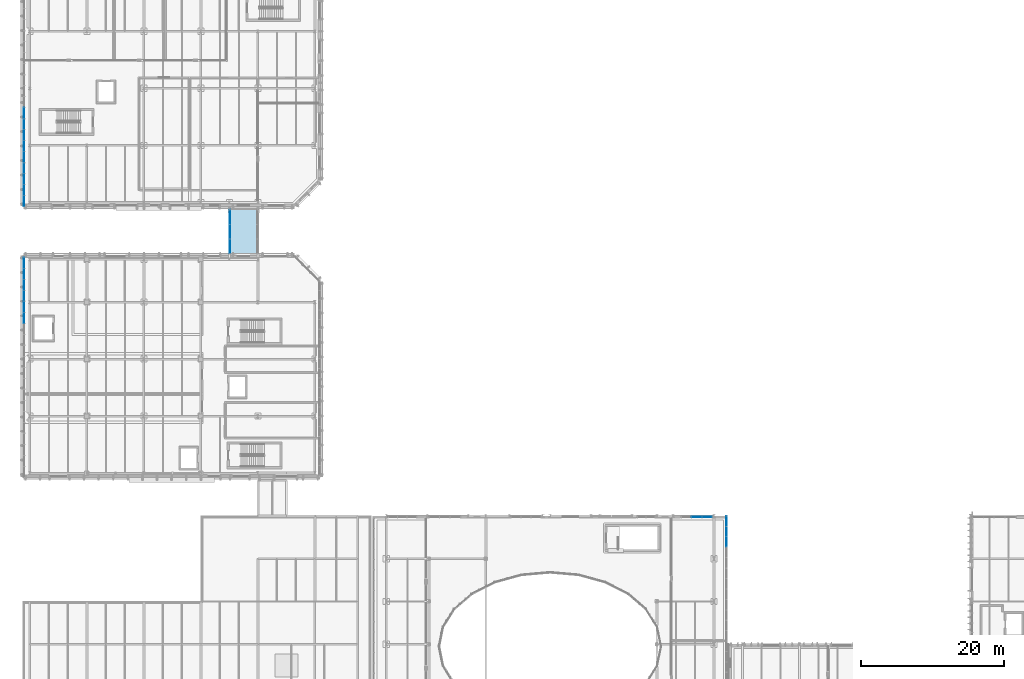
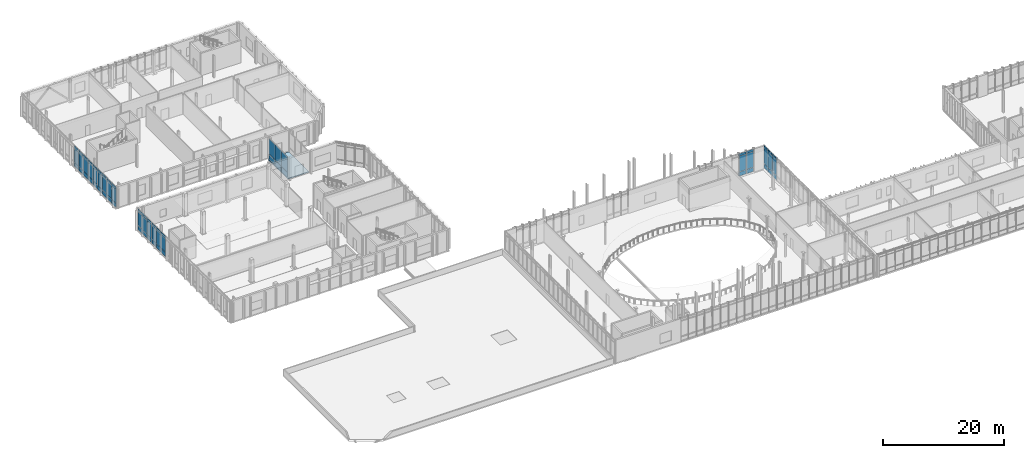
# One storey, part 50 of 86: 66 plates, 1 slab, 8 elements without a shape of their own.
"""IFC4 building model written with IfcOpenShell, lengths in metres."""

from ifc_helpers import new_model, si_unit, direction, frame, origin, origin_2d, place, context, subcontext, project, spatial, polyline, rectangle, outline, extrude, material, layer, layer_set, type_object, element, aggregate, save


model = new_model("IFC4")

# Units and contexts
model_context = context("Model", 3, precision=1e-05, world=origin(), true_north=direction((0.0, 1.0)))
body_context = subcontext(model_context, "Body", "Model", "MODEL_VIEW")
ifc_project = project(units=[si_unit("LENGTHUNIT", "METRE"), si_unit("AREAUNIT", "SQUARE_METRE"), si_unit("VOLUMEUNIT", "CUBIC_METRE"), si_unit("PLANEANGLEUNIT", "RADIAN"), si_unit("MASSUNIT", "GRAM", prefix="KILO")], contexts=[model_context])

# Site, building, storey
site_placement = place(None, origin())
site = spatial("IfcSite", under=ifc_project, at=site_placement, CompositionType="ELEMENT")
building_placement = place(site_placement, origin())
building = spatial("IfcBuilding", under=site, at=building_placement, Name="Cymarion Research Institute", CompositionType="ELEMENT")
storey_placement = place(building_placement, frame((0.0, 0.0, 13.800048828125)))
storey = spatial("IfcBuildingStorey", under=building, at=storey_placement, Name="L03", CompositionType="ELEMENT", Elevation=13.800048828125)

# Slab
ifc_material_1 = material(Name="Concrete C35/45", Category="concrete")
ifc_layer_1 = layer(ifc_material_1, 0.159912109375)
ifc_layer_set_1 = layer_set([ifc_layer_1], Name="Concrete C35/45")
slab_type = type_object("IfcSlabType", Name="COMPOSITE FLOOR SLAB SL-BR160 160MM", PredefinedType="FLOOR", material=ifc_layer_set_1)
slab_placement = place(storey_placement, frame((0.0, 0.0, -0.16015625)))
element("IfcSlab", 1, at=slab_placement, inside=storey, type_object=slab_type, Name="L03 SP2 sky-passage composite deck", PredefinedType="FLOOR", context=body_context, shape_type="SweptSolid", body=[
    extrude(outline(polyline([(34.60009765625, 78.10009765625), (38.60009765625, 78.10009765625), (38.60009765625, 84.699951171875), (34.60009765625, 84.699951171875), (34.60009765625, 78.10009765625)])), origin(), (0.0, 0.0, 1.0), 0.16015625),
])

# Curtain wall, plates
ifc_material_2 = material(Name="Anodised aluminium unitised curtain wall with Low-E glazing", Category="aluminium")
curtain_wall_type_1 = type_object("IfcCurtainWallType", Name="UNITISED CURTAIN WALL CW28 7320X4620", PredefinedType="NOTDEFINED", material=ifc_material_2)
curtain_wall_1_placement = place(storey_placement, origin())
curtain_wall_1 = element("IfcCurtainWall", 2, at=curtain_wall_1_placement, inside=storey, type_object=curtain_wall_type_1, Name="L03 V2 unitised curtain wall CW28 #141", PredefinedType="NOTDEFINED")
ifc_material_3 = material(Name="Insulated anodised aluminium spandrel panel", Category="aluminium")
ifc_layer_2 = layer(ifc_material_3, 0.06005859375)
ifc_layer_set_2 = layer_set([ifc_layer_2], Name="Insulated anodised aluminium spandrel panel")
plate_type_1 = type_object("IfcPlateType", Name="INSULATED ALUMINIUM SPANDREL PANEL SP01 60MM", PredefinedType="SHEET", material=ifc_layer_set_2)
plate_1_placement = place(storey_placement, frame((104.340087890625, 37.840087890625, 0.059814453125), z_axis=(0.0, 0.0, 1.0), x_axis=(0.0, 1.0, 0.0)))
plate_1 = element("IfcPlate", 3, at=plate_1_placement, type_object=plate_type_1, Name="CW28 panel 3.1", PredefinedType="SHEET", context=body_context, shape_type="SweptSolid", body=[
    extrude(rectangle(XDim=1.404052734375, YDim=0.06005859375, at=origin_2d()), origin(), (0.0, 0.0, 1.0), 0.81005859375),
])
plate_2_placement = place(storey_placement, frame((104.340087890625, 37.840087890625, 4.099853515625), z_axis=(0.0, 0.0, 1.0), x_axis=(0.0, 1.0, 0.0)))
plate_2 = element("IfcPlate", 4, at=plate_2_placement, type_object=plate_type_1, Name="CW28 panel 3.3", PredefinedType="SHEET", context=body_context, shape_type="SweptSolid", body=[
    extrude(rectangle(XDim=1.404052734375, YDim=0.06005859375, at=origin_2d()), origin(), (0.0, 0.0, 1.0), 0.4599609375),
])
plate_3_placement = place(storey_placement, frame((104.340087890625, 39.303955078125, 0.059814453125), z_axis=(0.0, 0.0, 1.0), x_axis=(0.0, 1.0, 0.0)))
plate_3 = element("IfcPlate", 5, at=plate_3_placement, type_object=plate_type_1, Name="CW28 panel 4.1", PredefinedType="SHEET", context=body_context, shape_type="SweptSolid", body=[
    extrude(rectangle(XDim=1.404052734375, YDim=0.06005859375, at=origin_2d()), origin(), (0.0, 0.0, 1.0), 0.81005859375),
])
plate_4_placement = place(storey_placement, frame((104.340087890625, 39.303955078125, 4.099853515625), z_axis=(0.0, 0.0, 1.0), x_axis=(0.0, 1.0, 0.0)))
plate_4 = element("IfcPlate", 6, at=plate_4_placement, type_object=plate_type_1, Name="CW28 panel 4.3", PredefinedType="SHEET", context=body_context, shape_type="SweptSolid", body=[
    extrude(rectangle(XDim=1.404052734375, YDim=0.06005859375, at=origin_2d()), origin(), (0.0, 0.0, 1.0), 0.4599609375),
])
plate_5_placement = place(storey_placement, frame((104.340087890625, 40.7529296875, 0.059814453125), z_axis=(0.0, 0.0, 1.0), x_axis=(0.0, 1.0, 0.0)))
plate_5 = element("IfcPlate", 7, at=plate_5_placement, type_object=plate_type_1, Name="CW28 panel 5.1", PredefinedType="SHEET", context=body_context, shape_type="SweptSolid", body=[
    extrude(rectangle(XDim=1.3740234375, YDim=0.06005859375, at=origin_2d()), origin(), (0.0, 0.0, 1.0), 0.81005859375),
])
plate_6_placement = place(storey_placement, frame((104.340087890625, 40.7529296875, 4.099853515625), z_axis=(0.0, 0.0, 1.0), x_axis=(0.0, 1.0, 0.0)))
plate_6 = element("IfcPlate", 8, at=plate_6_placement, type_object=plate_type_1, Name="CW28 panel 5.3", PredefinedType="SHEET", context=body_context, shape_type="SweptSolid", body=[
    extrude(rectangle(XDim=1.3740234375, YDim=0.06005859375, at=origin_2d()), origin(), (0.0, 0.0, 1.0), 0.4599609375),
])

curtain_wall_type_2 = type_object("IfcCurtainWallType", Name="UNITISED CURTAIN WALL CW29 4330X4620", PredefinedType="NOTDEFINED", material=ifc_material_2)
curtain_wall_2_placement = place(storey_placement, origin())
curtain_wall_2 = element("IfcCurtainWall", 9, at=curtain_wall_2_placement, inside=storey, type_object=curtain_wall_type_2, Name="L03 V2 unitised curtain wall CW29 #142", PredefinedType="NOTDEFINED")
plate_7_placement = place(storey_placement, frame((101.603515625, 41.340087890625, 0.059814453125), z_axis=(0.0, 0.0, 1.0), x_axis=(-1.0, 0.0, 0.0)))
plate_7 = element("IfcPlate", 10, at=plate_7_placement, type_object=plate_type_1, Name="CW29 panel 1.1", PredefinedType="SHEET", context=body_context, shape_type="SweptSolid", body=[
    extrude(rectangle(XDim=1.35302734375, YDim=0.06005859375, at=origin_2d()), origin(), (0.0, 0.0, 1.0), 0.81005859375),
])
plate_8_placement = place(storey_placement, frame((101.603515625, 41.340087890625, 4.099853515625), z_axis=(0.0, 0.0, 1.0), x_axis=(-1.0, 0.0, 0.0)))
plate_8 = element("IfcPlate", 11, at=plate_8_placement, type_object=plate_type_1, Name="CW29 panel 1.3", PredefinedType="SHEET", context=body_context, shape_type="SweptSolid", body=[
    extrude(rectangle(XDim=1.35302734375, YDim=0.06005859375, at=origin_2d()), origin(), (0.0, 0.0, 1.0), 0.4599609375),
])
plate_9_placement = place(storey_placement, frame((100.17529296875, 41.340087890625, 0.059814453125), z_axis=(0.0, 0.0, 1.0), x_axis=(-1.0, 0.0, 0.0)))
plate_9 = element("IfcPlate", 12, at=plate_9_placement, type_object=plate_type_1, Name="CW29 panel 2.1", PredefinedType="SHEET", context=body_context, shape_type="SweptSolid", body=[
    extrude(rectangle(XDim=1.383056640625, YDim=0.06005859375, at=origin_2d()), origin(), (0.0, 0.0, 1.0), 0.81005859375),
])
plate_10_placement = place(storey_placement, frame((100.17529296875, 41.340087890625, 4.099853515625), z_axis=(0.0, 0.0, 1.0), x_axis=(-1.0, 0.0, 0.0)))
plate_10 = element("IfcPlate", 13, at=plate_10_placement, type_object=plate_type_1, Name="CW29 panel 2.3", PredefinedType="SHEET", context=body_context, shape_type="SweptSolid", body=[
    extrude(rectangle(XDim=1.383056640625, YDim=0.06005859375, at=origin_2d()), origin(), (0.0, 0.0, 1.0), 0.4599609375),
])

curtain_wall_type_3 = type_object("IfcCurtainWallType", Name="UNITISED CURTAIN WALL CW22 6180X4250", PredefinedType="NOTDEFINED", material=ifc_material_2)
curtain_wall_3_placement = place(storey_placement, origin())
curtain_wall_3 = element("IfcCurtainWall", 14, at=curtain_wall_3_placement, inside=storey, type_object=curtain_wall_type_3, Name="L03 V4 unitised curtain wall CW22 #157", PredefinedType="NOTDEFINED")
plate_11_placement = place(storey_placement, frame((5.77001953125, 76.990966796875, 0.059814453125), z_axis=(0.0, 0.0, 1.0), x_axis=(0.0, -1.0, 0.0)))
plate_11 = element("IfcPlate", 15, at=plate_11_placement, type_object=plate_type_1, Name="CW22 panel 1.1", PredefinedType="SHEET", context=body_context, shape_type="SweptSolid", body=[
    extrude(rectangle(XDim=1.453857421875, YDim=0.06005859375, at=origin_2d()), origin(), (0.0, 0.0, 1.0), 0.81005859375),
])
plate_12_placement = place(storey_placement, frame((5.77001953125, 76.990966796875, 3.72998046875), z_axis=(0.0, 0.0, 1.0), x_axis=(0.0, -1.0, 0.0)))
plate_12 = element("IfcPlate", 16, at=plate_12_placement, type_object=plate_type_1, Name="CW22 panel 1.3", PredefinedType="SHEET", context=body_context, shape_type="SweptSolid", body=[
    extrude(rectangle(XDim=1.453857421875, YDim=0.06005859375, at=origin_2d()), origin(), (0.0, 0.0, 1.0), 0.4599609375),
])
plate_13_placement = place(storey_placement, frame((5.77001953125, 75.462158203125, 0.059814453125), z_axis=(0.0, 0.0, 1.0), x_axis=(0.0, -1.0, 0.0)))
plate_13 = element("IfcPlate", 17, at=plate_13_placement, type_object=plate_type_1, Name="CW22 panel 2.1", PredefinedType="SHEET", context=body_context, shape_type="SweptSolid", body=[
    extrude(rectangle(XDim=1.48388671875, YDim=0.06005859375, at=origin_2d()), origin(), (0.0, 0.0, 1.0), 0.81005859375),
])
plate_14_placement = place(storey_placement, frame((5.77001953125, 75.462158203125, 3.72998046875), z_axis=(0.0, 0.0, 1.0), x_axis=(0.0, -1.0, 0.0)))
plate_14 = element("IfcPlate", 18, at=plate_14_placement, type_object=plate_type_1, Name="CW22 panel 2.3", PredefinedType="SHEET", context=body_context, shape_type="SweptSolid", body=[
    extrude(rectangle(XDim=1.48388671875, YDim=0.06005859375, at=origin_2d()), origin(), (0.0, 0.0, 1.0), 0.4599609375),
])
plate_15_placement = place(storey_placement, frame((5.77001953125, 73.918212890625, 0.059814453125), z_axis=(0.0, 0.0, 1.0), x_axis=(0.0, -1.0, 0.0)))
plate_15 = element("IfcPlate", 19, at=plate_15_placement, type_object=plate_type_1, Name="CW22 panel 3.1", PredefinedType="SHEET", context=body_context, shape_type="SweptSolid", body=[
    extrude(rectangle(XDim=1.48388671875, YDim=0.06005859375, at=origin_2d()), origin(), (0.0, 0.0, 1.0), 0.81005859375),
])
plate_16_placement = place(storey_placement, frame((5.77001953125, 73.918212890625, 3.72998046875), z_axis=(0.0, 0.0, 1.0), x_axis=(0.0, -1.0, 0.0)))
plate_16 = element("IfcPlate", 20, at=plate_16_placement, type_object=plate_type_1, Name="CW22 panel 3.3", PredefinedType="SHEET", context=body_context, shape_type="SweptSolid", body=[
    extrude(rectangle(XDim=1.48388671875, YDim=0.06005859375, at=origin_2d()), origin(), (0.0, 0.0, 1.0), 0.4599609375),
])
plate_17_placement = place(storey_placement, frame((5.77001953125, 72.389404296875, 0.059814453125), z_axis=(0.0, 0.0, 1.0), x_axis=(0.0, -1.0, 0.0)))
plate_17 = element("IfcPlate", 21, at=plate_17_placement, type_object=plate_type_1, Name="CW22 panel 4.1", PredefinedType="SHEET", context=body_context, shape_type="SweptSolid", body=[
    extrude(rectangle(XDim=1.453857421875, YDim=0.06005859375, at=origin_2d()), origin(), (0.0, 0.0, 1.0), 0.81005859375),
])
plate_18_placement = place(storey_placement, frame((5.77001953125, 72.389404296875, 3.72998046875), z_axis=(0.0, 0.0, 1.0), x_axis=(0.0, -1.0, 0.0)))
plate_18 = element("IfcPlate", 22, at=plate_18_placement, type_object=plate_type_1, Name="CW22 panel 4.3", PredefinedType="SHEET", context=body_context, shape_type="SweptSolid", body=[
    extrude(rectangle(XDim=1.453857421875, YDim=0.06005859375, at=origin_2d()), origin(), (0.0, 0.0, 1.0), 0.4599609375),
])

curtain_wall_4_placement = place(storey_placement, origin())
curtain_wall_4 = element("IfcCurtainWall", 23, at=curtain_wall_4_placement, inside=storey, type_object=curtain_wall_type_3, Name="L03 V4 unitised curtain wall CW22 #158", PredefinedType="NOTDEFINED")
plate_19_placement = place(storey_placement, frame((5.77001953125, 70.8154296875, 0.059814453125), z_axis=(0.0, 0.0, 1.0), x_axis=(0.0, -1.0, 0.0)))
plate_19 = element("IfcPlate", 24, at=plate_19_placement, type_object=plate_type_1, Name="CW22 panel 1.1", PredefinedType="SHEET", context=body_context, shape_type="SweptSolid", body=[
    extrude(rectangle(XDim=1.453857421875, YDim=0.06005859375, at=origin_2d()), origin(), (0.0, 0.0, 1.0), 0.81005859375),
])
plate_20_placement = place(storey_placement, frame((5.77001953125, 70.8154296875, 3.72998046875), z_axis=(0.0, 0.0, 1.0), x_axis=(0.0, -1.0, 0.0)))
plate_20 = element("IfcPlate", 25, at=plate_20_placement, type_object=plate_type_1, Name="CW22 panel 1.3", PredefinedType="SHEET", context=body_context, shape_type="SweptSolid", body=[
    extrude(rectangle(XDim=1.453857421875, YDim=0.06005859375, at=origin_2d()), origin(), (0.0, 0.0, 1.0), 0.4599609375),
])
plate_21_placement = place(storey_placement, frame((5.77001953125, 69.28662109375, 0.059814453125), z_axis=(0.0, 0.0, 1.0), x_axis=(0.0, -1.0, 0.0)))
plate_21 = element("IfcPlate", 26, at=plate_21_placement, type_object=plate_type_1, Name="CW22 panel 2.1", PredefinedType="SHEET", context=body_context, shape_type="SweptSolid", body=[
    extrude(rectangle(XDim=1.48388671875, YDim=0.06005859375, at=origin_2d()), origin(), (0.0, 0.0, 1.0), 0.81005859375),
])
plate_22_placement = place(storey_placement, frame((5.77001953125, 69.28662109375, 3.72998046875), z_axis=(0.0, 0.0, 1.0), x_axis=(0.0, -1.0, 0.0)))
plate_22 = element("IfcPlate", 27, at=plate_22_placement, type_object=plate_type_1, Name="CW22 panel 2.3", PredefinedType="SHEET", context=body_context, shape_type="SweptSolid", body=[
    extrude(rectangle(XDim=1.48388671875, YDim=0.06005859375, at=origin_2d()), origin(), (0.0, 0.0, 1.0), 0.4599609375),
])

curtain_wall_5_placement = place(storey_placement, origin())
curtain_wall_5 = element("IfcCurtainWall", 28, at=curtain_wall_5_placement, inside=storey, type_object=curtain_wall_type_3, Name="L03 V5 unitised curtain wall CW22 #166", PredefinedType="NOTDEFINED")
plate_23_placement = place(storey_placement, frame((5.77001953125, 98.0380859375, 0.059814453125), z_axis=(0.0, 0.0, 1.0), x_axis=(0.0, -1.0, 0.0)))
plate_23 = element("IfcPlate", 29, at=plate_23_placement, type_object=plate_type_1, Name="CW22 panel 4.1", PredefinedType="SHEET", context=body_context, shape_type="SweptSolid", body=[
    extrude(rectangle(XDim=1.453857421875, YDim=0.06005859375, at=origin_2d()), origin(), (0.0, 0.0, 1.0), 0.81005859375),
])
plate_24_placement = place(storey_placement, frame((5.77001953125, 98.0380859375, 3.72998046875), z_axis=(0.0, 0.0, 1.0), x_axis=(0.0, -1.0, 0.0)))
plate_24 = element("IfcPlate", 30, at=plate_24_placement, type_object=plate_type_1, Name="CW22 panel 4.3", PredefinedType="SHEET", context=body_context, shape_type="SweptSolid", body=[
    extrude(rectangle(XDim=1.453857421875, YDim=0.06005859375, at=origin_2d()), origin(), (0.0, 0.0, 1.0), 0.4599609375),
])

curtain_wall_6_placement = place(storey_placement, origin())
curtain_wall_6 = element("IfcCurtainWall", 31, at=curtain_wall_6_placement, inside=storey, type_object=curtain_wall_type_3, Name="L03 V5 unitised curtain wall CW22 #167", PredefinedType="NOTDEFINED")
plate_25_placement = place(storey_placement, frame((5.77001953125, 96.46435546875, 0.059814453125), z_axis=(0.0, 0.0, 1.0), x_axis=(0.0, -1.0, 0.0)))
plate_25 = element("IfcPlate", 32, at=plate_25_placement, type_object=plate_type_1, Name="CW22 panel 1.1", PredefinedType="SHEET", context=body_context, shape_type="SweptSolid", body=[
    extrude(rectangle(XDim=1.453857421875, YDim=0.06005859375, at=origin_2d()), origin(), (0.0, 0.0, 1.0), 0.81005859375),
])
plate_26_placement = place(storey_placement, frame((5.77001953125, 96.46435546875, 3.72998046875), z_axis=(0.0, 0.0, 1.0), x_axis=(0.0, -1.0, 0.0)))
plate_26 = element("IfcPlate", 33, at=plate_26_placement, type_object=plate_type_1, Name="CW22 panel 1.3", PredefinedType="SHEET", context=body_context, shape_type="SweptSolid", body=[
    extrude(rectangle(XDim=1.453857421875, YDim=0.06005859375, at=origin_2d()), origin(), (0.0, 0.0, 1.0), 0.4599609375),
])
plate_27_placement = place(storey_placement, frame((5.77001953125, 94.935302734375, 0.059814453125), z_axis=(0.0, 0.0, 1.0), x_axis=(0.0, -1.0, 0.0)))
plate_27 = element("IfcPlate", 34, at=plate_27_placement, type_object=plate_type_1, Name="CW22 panel 2.1", PredefinedType="SHEET", context=body_context, shape_type="SweptSolid", body=[
    extrude(rectangle(XDim=1.48388671875, YDim=0.06005859375, at=origin_2d()), origin(), (0.0, 0.0, 1.0), 0.81005859375),
])
plate_28_placement = place(storey_placement, frame((5.77001953125, 94.935302734375, 3.72998046875), z_axis=(0.0, 0.0, 1.0), x_axis=(0.0, -1.0, 0.0)))
plate_28 = element("IfcPlate", 35, at=plate_28_placement, type_object=plate_type_1, Name="CW22 panel 2.3", PredefinedType="SHEET", context=body_context, shape_type="SweptSolid", body=[
    extrude(rectangle(XDim=1.48388671875, YDim=0.06005859375, at=origin_2d()), origin(), (0.0, 0.0, 1.0), 0.4599609375),
])
plate_29_placement = place(storey_placement, frame((5.77001953125, 93.391357421875, 0.059814453125), z_axis=(0.0, 0.0, 1.0), x_axis=(0.0, -1.0, 0.0)))
plate_29 = element("IfcPlate", 36, at=plate_29_placement, type_object=plate_type_1, Name="CW22 panel 3.1", PredefinedType="SHEET", context=body_context, shape_type="SweptSolid", body=[
    extrude(rectangle(XDim=1.48388671875, YDim=0.06005859375, at=origin_2d()), origin(), (0.0, 0.0, 1.0), 0.81005859375),
])
plate_30_placement = place(storey_placement, frame((5.77001953125, 93.391357421875, 3.72998046875), z_axis=(0.0, 0.0, 1.0), x_axis=(0.0, -1.0, 0.0)))
plate_30 = element("IfcPlate", 37, at=plate_30_placement, type_object=plate_type_1, Name="CW22 panel 3.3", PredefinedType="SHEET", context=body_context, shape_type="SweptSolid", body=[
    extrude(rectangle(XDim=1.48388671875, YDim=0.06005859375, at=origin_2d()), origin(), (0.0, 0.0, 1.0), 0.4599609375),
])
plate_31_placement = place(storey_placement, frame((5.77001953125, 91.862548828125, 0.059814453125), z_axis=(0.0, 0.0, 1.0), x_axis=(0.0, -1.0, 0.0)))
plate_31 = element("IfcPlate", 38, at=plate_31_placement, type_object=plate_type_1, Name="CW22 panel 4.1", PredefinedType="SHEET", context=body_context, shape_type="SweptSolid", body=[
    extrude(rectangle(XDim=1.453857421875, YDim=0.06005859375, at=origin_2d()), origin(), (0.0, 0.0, 1.0), 0.81005859375),
])
plate_32_placement = place(storey_placement, frame((5.77001953125, 91.862548828125, 3.72998046875), z_axis=(0.0, 0.0, 1.0), x_axis=(0.0, -1.0, 0.0)))
plate_32 = element("IfcPlate", 39, at=plate_32_placement, type_object=plate_type_1, Name="CW22 panel 4.3", PredefinedType="SHEET", context=body_context, shape_type="SweptSolid", body=[
    extrude(rectangle(XDim=1.453857421875, YDim=0.06005859375, at=origin_2d()), origin(), (0.0, 0.0, 1.0), 0.4599609375),
])

curtain_wall_7_placement = place(storey_placement, origin())
curtain_wall_7 = element("IfcCurtainWall", 40, at=curtain_wall_7_placement, inside=storey, type_object=curtain_wall_type_3, Name="L03 V5 unitised curtain wall CW22 #168", PredefinedType="NOTDEFINED")
plate_33_placement = place(storey_placement, frame((5.77001953125, 90.28857421875, 0.059814453125), z_axis=(0.0, 0.0, 1.0), x_axis=(0.0, -1.0, 0.0)))
plate_33 = element("IfcPlate", 41, at=plate_33_placement, type_object=plate_type_1, Name="CW22 panel 1.1", PredefinedType="SHEET", context=body_context, shape_type="SweptSolid", body=[
    extrude(rectangle(XDim=1.453857421875, YDim=0.06005859375, at=origin_2d()), origin(), (0.0, 0.0, 1.0), 0.81005859375),
])
plate_34_placement = place(storey_placement, frame((5.77001953125, 90.28857421875, 3.72998046875), z_axis=(0.0, 0.0, 1.0), x_axis=(0.0, -1.0, 0.0)))
plate_34 = element("IfcPlate", 42, at=plate_34_placement, type_object=plate_type_1, Name="CW22 panel 1.3", PredefinedType="SHEET", context=body_context, shape_type="SweptSolid", body=[
    extrude(rectangle(XDim=1.453857421875, YDim=0.06005859375, at=origin_2d()), origin(), (0.0, 0.0, 1.0), 0.4599609375),
])
plate_35_placement = place(storey_placement, frame((5.77001953125, 88.759765625, 0.059814453125), z_axis=(0.0, 0.0, 1.0), x_axis=(0.0, -1.0, 0.0)))
plate_35 = element("IfcPlate", 43, at=plate_35_placement, type_object=plate_type_1, Name="CW22 panel 2.1", PredefinedType="SHEET", context=body_context, shape_type="SweptSolid", body=[
    extrude(rectangle(XDim=1.48388671875, YDim=0.06005859375, at=origin_2d()), origin(), (0.0, 0.0, 1.0), 0.81005859375),
])
plate_36_placement = place(storey_placement, frame((5.77001953125, 88.759765625, 3.72998046875), z_axis=(0.0, 0.0, 1.0), x_axis=(0.0, -1.0, 0.0)))
plate_36 = element("IfcPlate", 44, at=plate_36_placement, type_object=plate_type_1, Name="CW22 panel 2.3", PredefinedType="SHEET", context=body_context, shape_type="SweptSolid", body=[
    extrude(rectangle(XDim=1.48388671875, YDim=0.06005859375, at=origin_2d()), origin(), (0.0, 0.0, 1.0), 0.4599609375),
])
plate_37_placement = place(storey_placement, frame((5.77001953125, 87.2158203125, 0.059814453125), z_axis=(0.0, 0.0, 1.0), x_axis=(0.0, -1.0, 0.0)))
plate_37 = element("IfcPlate", 45, at=plate_37_placement, type_object=plate_type_1, Name="CW22 panel 3.1", PredefinedType="SHEET", context=body_context, shape_type="SweptSolid", body=[
    extrude(rectangle(XDim=1.48388671875, YDim=0.06005859375, at=origin_2d()), origin(), (0.0, 0.0, 1.0), 0.81005859375),
])
plate_38_placement = place(storey_placement, frame((5.77001953125, 87.2158203125, 3.72998046875), z_axis=(0.0, 0.0, 1.0), x_axis=(0.0, -1.0, 0.0)))
plate_38 = element("IfcPlate", 46, at=plate_38_placement, type_object=plate_type_1, Name="CW22 panel 3.3", PredefinedType="SHEET", context=body_context, shape_type="SweptSolid", body=[
    extrude(rectangle(XDim=1.48388671875, YDim=0.06005859375, at=origin_2d()), origin(), (0.0, 0.0, 1.0), 0.4599609375),
])
plate_39_placement = place(storey_placement, frame((5.77001953125, 85.68701171875, 0.059814453125), z_axis=(0.0, 0.0, 1.0), x_axis=(0.0, -1.0, 0.0)))
plate_39 = element("IfcPlate", 47, at=plate_39_placement, type_object=plate_type_1, Name="CW22 panel 4.1", PredefinedType="SHEET", context=body_context, shape_type="SweptSolid", body=[
    extrude(rectangle(XDim=1.453857421875, YDim=0.06005859375, at=origin_2d()), origin(), (0.0, 0.0, 1.0), 0.81005859375),
])
plate_40_placement = place(storey_placement, frame((5.77001953125, 85.68701171875, 3.72998046875), z_axis=(0.0, 0.0, 1.0), x_axis=(0.0, -1.0, 0.0)))
plate_40 = element("IfcPlate", 48, at=plate_40_placement, type_object=plate_type_1, Name="CW22 panel 4.3", PredefinedType="SHEET", context=body_context, shape_type="SweptSolid", body=[
    extrude(rectangle(XDim=1.453857421875, YDim=0.06005859375, at=origin_2d()), origin(), (0.0, 0.0, 1.0), 0.4599609375),
])

curtain_wall_type_4 = type_object("IfcCurtainWallType", Name="UNITISED CURTAIN WALL CW25 6200X4260", PredefinedType="NOTDEFINED", material=ifc_material_2)
curtain_wall_8_placement = place(storey_placement, origin())
curtain_wall_8 = element("IfcCurtainWall", 49, at=curtain_wall_8_placement, inside=storey, type_object=curtain_wall_type_4, Name="L03 SP2 sky-passage glazed wall 1", PredefinedType="NOTDEFINED")
plate_41_placement = place(storey_placement, frame((34.679931640625, 79.348388671875, 0.06005859375), z_axis=(0.0, 0.0, 1.0), x_axis=(0.0, 1.0, 0.0)))
plate_41 = element("IfcPlate", 50, at=plate_41_placement, type_object=plate_type_1, Name="CW25 panel 1.1", PredefinedType="SHEET", context=body_context, shape_type="SweptSolid", body=[
    extrude(rectangle(XDim=1.9765625, YDim=0.06005859375, at=origin_2d()), origin(), (0.0, 0.0, 1.0), 0.9599609375),
])
plate_42_placement = place(storey_placement, frame((34.679931640625, 81.39990234375, 0.06005859375), z_axis=(0.0, 0.0, 1.0), x_axis=(0.0, 1.0, 0.0)))
plate_42 = element("IfcPlate", 51, at=plate_42_placement, type_object=plate_type_1, Name="CW25 panel 2.1", PredefinedType="SHEET", context=body_context, shape_type="SweptSolid", body=[
    extrude(rectangle(XDim=2.006591796875, YDim=0.06005859375, at=origin_2d()), origin(), (0.0, 0.0, 1.0), 0.9599609375),
])
plate_43_placement = place(storey_placement, frame((34.679931640625, 83.45166015625, 0.06005859375), z_axis=(0.0, 0.0, 1.0), x_axis=(0.0, 1.0, 0.0)))
plate_43 = element("IfcPlate", 52, at=plate_43_placement, type_object=plate_type_1, Name="CW25 panel 3.1", PredefinedType="SHEET", context=body_context, shape_type="SweptSolid", body=[
    extrude(rectangle(XDim=1.9765625, YDim=0.06005859375, at=origin_2d()), origin(), (0.0, 0.0, 1.0), 0.9599609375),
])

# Plate
ifc_material_4 = material(Name="Low-E double solar-control glazing", Category="glass")
ifc_layer_3 = layer(ifc_material_4, 0.035888671875)
ifc_layer_set_3 = layer_set([ifc_layer_3], Name="Low-E double solar-control glazing")
plate_type_2 = type_object("IfcPlateType", Name="SOLAR CONTROL GLAZED VISION PANEL GP01 36MM", PredefinedType="CURTAIN_PANEL", material=ifc_layer_set_3)
plate_44_placement = place(storey_placement, frame((104.340087890625, 37.840087890625, 0.9296875), z_axis=(0.0, 0.0, 1.0), x_axis=(0.0, 1.0, 0.0)))
plate_44 = element("IfcPlate", 53, at=plate_44_placement, type_object=plate_type_2, Name="CW28 panel 3.2", PredefinedType="CURTAIN_PANEL", context=body_context, shape_type="SweptSolid", body=[
    extrude(rectangle(XDim=1.404052734375, YDim=0.035888671875, at=origin_2d()), origin(), (0.0, 0.0, 1.0), 3.110107421875),
])

plate_45_placement = place(storey_placement, frame((104.340087890625, 39.303955078125, 0.9296875), z_axis=(0.0, 0.0, 1.0), x_axis=(0.0, 1.0, 0.0)))
plate_45 = element("IfcPlate", 54, at=plate_45_placement, type_object=plate_type_2, Name="CW28 panel 4.2", PredefinedType="CURTAIN_PANEL", context=body_context, shape_type="SweptSolid", body=[
    extrude(rectangle(XDim=1.404052734375, YDim=0.035888671875, at=origin_2d()), origin(), (0.0, 0.0, 1.0), 3.110107421875),
])

plate_46_placement = place(storey_placement, frame((104.340087890625, 40.7529296875, 0.9296875), z_axis=(0.0, 0.0, 1.0), x_axis=(0.0, 1.0, 0.0)))
plate_46 = element("IfcPlate", 55, at=plate_46_placement, type_object=plate_type_2, Name="CW28 panel 5.2", PredefinedType="CURTAIN_PANEL", context=body_context, shape_type="SweptSolid", body=[
    extrude(rectangle(XDim=1.3740234375, YDim=0.035888671875, at=origin_2d()), origin(), (0.0, 0.0, 1.0), 3.110107421875),
])

aggregate(curtain_wall_1, [plate_1, plate_44, plate_2, plate_3, plate_45, plate_4, plate_5, plate_46, plate_6])

plate_47_placement = place(storey_placement, frame((101.603515625, 41.340087890625, 0.9296875), z_axis=(0.0, 0.0, 1.0), x_axis=(-1.0, 0.0, 0.0)))
plate_47 = element("IfcPlate", 56, at=plate_47_placement, type_object=plate_type_2, Name="CW29 panel 1.2", PredefinedType="CURTAIN_PANEL", context=body_context, shape_type="SweptSolid", body=[
    extrude(rectangle(XDim=1.35302734375, YDim=0.035888671875, at=origin_2d()), origin(), (0.0, 0.0, 1.0), 3.110107421875),
])

plate_48_placement = place(storey_placement, frame((100.17529296875, 41.340087890625, 0.9296875), z_axis=(0.0, 0.0, 1.0), x_axis=(-1.0, 0.0, 0.0)))
plate_48 = element("IfcPlate", 57, at=plate_48_placement, type_object=plate_type_2, Name="CW29 panel 2.2", PredefinedType="CURTAIN_PANEL", context=body_context, shape_type="SweptSolid", body=[
    extrude(rectangle(XDim=1.383056640625, YDim=0.035888671875, at=origin_2d()), origin(), (0.0, 0.0, 1.0), 3.110107421875),
])

aggregate(curtain_wall_2, [plate_7, plate_47, plate_8, plate_9, plate_48, plate_10])

plate_49_placement = place(storey_placement, frame((5.77001953125, 76.990966796875, 0.93017578125), z_axis=(0.0, 0.0, 1.0), x_axis=(0.0, -1.0, 0.0)))
plate_49 = element("IfcPlate", 58, at=plate_49_placement, type_object=plate_type_2, Name="CW22 panel 1.2", PredefinedType="CURTAIN_PANEL", context=body_context, shape_type="SweptSolid", body=[
    extrude(rectangle(XDim=1.453857421875, YDim=0.035888671875, at=origin_2d()), origin(), (0.0, 0.0, 1.0), 2.739990234375),
])

plate_50_placement = place(storey_placement, frame((5.77001953125, 75.462158203125, 0.93017578125), z_axis=(0.0, 0.0, 1.0), x_axis=(0.0, -1.0, 0.0)))
plate_50 = element("IfcPlate", 59, at=plate_50_placement, type_object=plate_type_2, Name="CW22 panel 2.2", PredefinedType="CURTAIN_PANEL", context=body_context, shape_type="SweptSolid", body=[
    extrude(rectangle(XDim=1.48388671875, YDim=0.035888671875, at=origin_2d()), origin(), (0.0, 0.0, 1.0), 2.739990234375),
])

plate_51_placement = place(storey_placement, frame((5.77001953125, 73.918212890625, 0.93017578125), z_axis=(0.0, 0.0, 1.0), x_axis=(0.0, -1.0, 0.0)))
plate_51 = element("IfcPlate", 60, at=plate_51_placement, type_object=plate_type_2, Name="CW22 panel 3.2", PredefinedType="CURTAIN_PANEL", context=body_context, shape_type="SweptSolid", body=[
    extrude(rectangle(XDim=1.48388671875, YDim=0.035888671875, at=origin_2d()), origin(), (0.0, 0.0, 1.0), 2.739990234375),
])

plate_52_placement = place(storey_placement, frame((5.77001953125, 72.389404296875, 0.93017578125), z_axis=(0.0, 0.0, 1.0), x_axis=(0.0, -1.0, 0.0)))
plate_52 = element("IfcPlate", 61, at=plate_52_placement, type_object=plate_type_2, Name="CW22 panel 4.2", PredefinedType="CURTAIN_PANEL", context=body_context, shape_type="SweptSolid", body=[
    extrude(rectangle(XDim=1.453857421875, YDim=0.035888671875, at=origin_2d()), origin(), (0.0, 0.0, 1.0), 2.739990234375),
])

aggregate(curtain_wall_3, [plate_11, plate_49, plate_12, plate_13, plate_50, plate_14, plate_15, plate_51, plate_16, plate_17, plate_52, plate_18])

plate_53_placement = place(storey_placement, frame((5.77001953125, 70.8154296875, 0.93017578125), z_axis=(0.0, 0.0, 1.0), x_axis=(0.0, -1.0, 0.0)))
plate_53 = element("IfcPlate", 62, at=plate_53_placement, type_object=plate_type_2, Name="CW22 panel 1.2", PredefinedType="CURTAIN_PANEL", context=body_context, shape_type="SweptSolid", body=[
    extrude(rectangle(XDim=1.453857421875, YDim=0.035888671875, at=origin_2d()), origin(), (0.0, 0.0, 1.0), 2.739990234375),
])

plate_54_placement = place(storey_placement, frame((5.77001953125, 69.28662109375, 0.93017578125), z_axis=(0.0, 0.0, 1.0), x_axis=(0.0, -1.0, 0.0)))
plate_54 = element("IfcPlate", 63, at=plate_54_placement, type_object=plate_type_2, Name="CW22 panel 2.2", PredefinedType="CURTAIN_PANEL", context=body_context, shape_type="SweptSolid", body=[
    extrude(rectangle(XDim=1.48388671875, YDim=0.035888671875, at=origin_2d()), origin(), (0.0, 0.0, 1.0), 2.739990234375),
])

aggregate(curtain_wall_4, [plate_19, plate_53, plate_20, plate_21, plate_54, plate_22])

plate_55_placement = place(storey_placement, frame((5.77001953125, 98.0380859375, 0.93017578125), z_axis=(0.0, 0.0, 1.0), x_axis=(0.0, -1.0, 0.0)))
plate_55 = element("IfcPlate", 64, at=plate_55_placement, type_object=plate_type_2, Name="CW22 panel 4.2", PredefinedType="CURTAIN_PANEL", context=body_context, shape_type="SweptSolid", body=[
    extrude(rectangle(XDim=1.453857421875, YDim=0.035888671875, at=origin_2d()), origin(), (0.0, 0.0, 1.0), 2.739990234375),
])

aggregate(curtain_wall_5, [plate_23, plate_55, plate_24])

plate_56_placement = place(storey_placement, frame((5.77001953125, 96.46435546875, 0.93017578125), z_axis=(0.0, 0.0, 1.0), x_axis=(0.0, -1.0, 0.0)))
plate_56 = element("IfcPlate", 65, at=plate_56_placement, type_object=plate_type_2, Name="CW22 panel 1.2", PredefinedType="CURTAIN_PANEL", context=body_context, shape_type="SweptSolid", body=[
    extrude(rectangle(XDim=1.453857421875, YDim=0.035888671875, at=origin_2d()), origin(), (0.0, 0.0, 1.0), 2.739990234375),
])

plate_57_placement = place(storey_placement, frame((5.77001953125, 94.935302734375, 0.93017578125), z_axis=(0.0, 0.0, 1.0), x_axis=(0.0, -1.0, 0.0)))
plate_57 = element("IfcPlate", 66, at=plate_57_placement, type_object=plate_type_2, Name="CW22 panel 2.2", PredefinedType="CURTAIN_PANEL", context=body_context, shape_type="SweptSolid", body=[
    extrude(rectangle(XDim=1.48388671875, YDim=0.035888671875, at=origin_2d()), origin(), (0.0, 0.0, 1.0), 2.739990234375),
])

plate_58_placement = place(storey_placement, frame((5.77001953125, 93.391357421875, 0.93017578125), z_axis=(0.0, 0.0, 1.0), x_axis=(0.0, -1.0, 0.0)))
plate_58 = element("IfcPlate", 67, at=plate_58_placement, type_object=plate_type_2, Name="CW22 panel 3.2", PredefinedType="CURTAIN_PANEL", context=body_context, shape_type="SweptSolid", body=[
    extrude(rectangle(XDim=1.48388671875, YDim=0.035888671875, at=origin_2d()), origin(), (0.0, 0.0, 1.0), 2.739990234375),
])

plate_59_placement = place(storey_placement, frame((5.77001953125, 91.862548828125, 0.93017578125), z_axis=(0.0, 0.0, 1.0), x_axis=(0.0, -1.0, 0.0)))
plate_59 = element("IfcPlate", 68, at=plate_59_placement, type_object=plate_type_2, Name="CW22 panel 4.2", PredefinedType="CURTAIN_PANEL", context=body_context, shape_type="SweptSolid", body=[
    extrude(rectangle(XDim=1.453857421875, YDim=0.035888671875, at=origin_2d()), origin(), (0.0, 0.0, 1.0), 2.739990234375),
])

aggregate(curtain_wall_6, [plate_25, plate_56, plate_26, plate_27, plate_57, plate_28, plate_29, plate_58, plate_30, plate_31, plate_59, plate_32])

plate_60_placement = place(storey_placement, frame((5.77001953125, 90.28857421875, 0.93017578125), z_axis=(0.0, 0.0, 1.0), x_axis=(0.0, -1.0, 0.0)))
plate_60 = element("IfcPlate", 69, at=plate_60_placement, type_object=plate_type_2, Name="CW22 panel 1.2", PredefinedType="CURTAIN_PANEL", context=body_context, shape_type="SweptSolid", body=[
    extrude(rectangle(XDim=1.453857421875, YDim=0.035888671875, at=origin_2d()), origin(), (0.0, 0.0, 1.0), 2.739990234375),
])

plate_61_placement = place(storey_placement, frame((5.77001953125, 88.759765625, 0.93017578125), z_axis=(0.0, 0.0, 1.0), x_axis=(0.0, -1.0, 0.0)))
plate_61 = element("IfcPlate", 70, at=plate_61_placement, type_object=plate_type_2, Name="CW22 panel 2.2", PredefinedType="CURTAIN_PANEL", context=body_context, shape_type="SweptSolid", body=[
    extrude(rectangle(XDim=1.48388671875, YDim=0.035888671875, at=origin_2d()), origin(), (0.0, 0.0, 1.0), 2.739990234375),
])

plate_62_placement = place(storey_placement, frame((5.77001953125, 87.2158203125, 0.93017578125), z_axis=(0.0, 0.0, 1.0), x_axis=(0.0, -1.0, 0.0)))
plate_62 = element("IfcPlate", 71, at=plate_62_placement, type_object=plate_type_2, Name="CW22 panel 3.2", PredefinedType="CURTAIN_PANEL", context=body_context, shape_type="SweptSolid", body=[
    extrude(rectangle(XDim=1.48388671875, YDim=0.035888671875, at=origin_2d()), origin(), (0.0, 0.0, 1.0), 2.739990234375),
])

plate_63_placement = place(storey_placement, frame((5.77001953125, 85.68701171875, 0.93017578125), z_axis=(0.0, 0.0, 1.0), x_axis=(0.0, -1.0, 0.0)))
plate_63 = element("IfcPlate", 72, at=plate_63_placement, type_object=plate_type_2, Name="CW22 panel 4.2", PredefinedType="CURTAIN_PANEL", context=body_context, shape_type="SweptSolid", body=[
    extrude(rectangle(XDim=1.453857421875, YDim=0.035888671875, at=origin_2d()), origin(), (0.0, 0.0, 1.0), 2.739990234375),
])

aggregate(curtain_wall_7, [plate_33, plate_60, plate_34, plate_35, plate_61, plate_36, plate_37, plate_62, plate_38, plate_39, plate_63, plate_40])

plate_64_placement = place(storey_placement, frame((34.679931640625, 79.348388671875, 1.079833984375), z_axis=(0.0, 0.0, 1.0), x_axis=(0.0, 1.0, 0.0)))
plate_64 = element("IfcPlate", 73, at=plate_64_placement, type_object=plate_type_2, Name="CW25 panel 1.2", PredefinedType="CURTAIN_PANEL", context=body_context, shape_type="SweptSolid", body=[
    extrude(rectangle(XDim=1.9765625, YDim=0.035888671875, at=origin_2d()), origin(), (0.0, 0.0, 1.0), 3.1201171875),
])

plate_65_placement = place(storey_placement, frame((34.679931640625, 81.39990234375, 1.079833984375), z_axis=(0.0, 0.0, 1.0), x_axis=(0.0, 1.0, 0.0)))
plate_65 = element("IfcPlate", 74, at=plate_65_placement, type_object=plate_type_2, Name="CW25 panel 2.2", PredefinedType="CURTAIN_PANEL", context=body_context, shape_type="SweptSolid", body=[
    extrude(rectangle(XDim=2.006591796875, YDim=0.035888671875, at=origin_2d()), origin(), (0.0, 0.0, 1.0), 3.1201171875),
])

plate_66_placement = place(storey_placement, frame((34.679931640625, 83.45166015625, 1.079833984375), z_axis=(0.0, 0.0, 1.0), x_axis=(0.0, 1.0, 0.0)))
plate_66 = element("IfcPlate", 75, at=plate_66_placement, type_object=plate_type_2, Name="CW25 panel 3.2", PredefinedType="CURTAIN_PANEL", context=body_context, shape_type="SweptSolid", body=[
    extrude(rectangle(XDim=1.9765625, YDim=0.035888671875, at=origin_2d()), origin(), (0.0, 0.0, 1.0), 3.1201171875),
])

aggregate(curtain_wall_8, [plate_41, plate_64, plate_42, plate_65, plate_43, plate_66])

save(model, "model.ifc")
